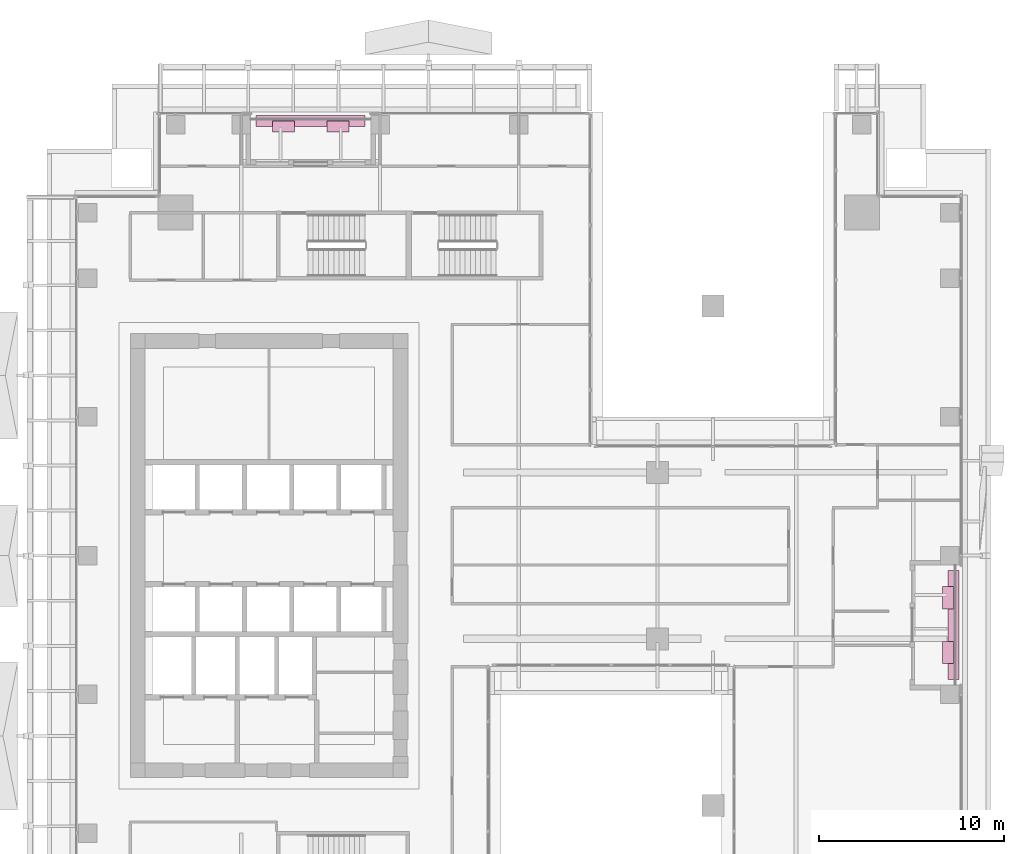
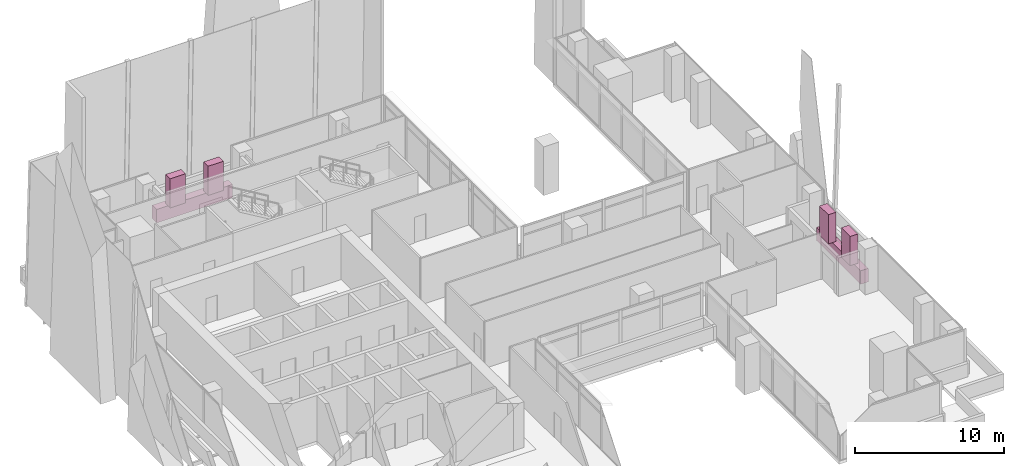
# One storey, part 43 of 43: 6 furnishings.
"""IFC4 building model written with IfcOpenShell, lengths in metres."""

from ifc_helpers import new_model, si_unit, direction, frame, origin, origin_2d, place, context, subcontext, project, spatial, rectangle, extrude, source, transform, mapped, material, type_object, element, save


model = new_model("IFC4")

# Units and contexts
model_context = context("Model", 3, precision=1e-05, world=origin(), true_north=direction((0.0, 1.0)))
body_context = subcontext(model_context, "Body", "Model", "MODEL_VIEW")
ifc_project = project(units=[si_unit("LENGTHUNIT", "METRE"), si_unit("AREAUNIT", "SQUARE_METRE"), si_unit("VOLUMEUNIT", "CUBIC_METRE"), si_unit("PLANEANGLEUNIT", "RADIAN"), si_unit("MASSUNIT", "GRAM", prefix="KILO")], contexts=[model_context])

# Site, building, storey
site_placement = place(None, origin())
site = spatial("IfcSite", under=ifc_project, at=site_placement, CompositionType="ELEMENT")
building_placement = place(site_placement, origin())
building = spatial("IfcBuilding", under=site, at=building_placement, Name="Khomas Fold Tower", CompositionType="ELEMENT")
storey_placement = place(building_placement, frame((0.0, 0.0, 164.699951171875)))
storey = spatial("IfcBuildingStorey", under=building, at=storey_placement, Name="L35", CompositionType="ELEMENT", Elevation=164.699951171875)

# Furnishings
ifc_material_1 = material(Name="Precast concrete C40/50", Category="concrete")
furnishing_element_type_1 = type_object("IfcFurnishingElementType", Name="BL-Structural planter box", material=ifc_material_1)
shared_shape_1 = source(origin(), body_context, "Body", "SweptSolid", [
    extrude(rectangle(XDim=5.89990234375, YDim=0.60009765625, at=origin_2d()), origin(), (0.0, 0.0, 1.0), 1.10009765625),
])
for number, where, z_axis, x_axis, name in (
    (1, (15.75, 50.5, -0.044921875), (0.0, 0.0, 1.0), (1.0, 0.0, 0.0), "PLANTER BAL-L35-N1"),
    (2, (50.5, 23.25, -0.044921875), (0.0, 0.0, 1.0), (0.0, 1.0, 0.0), "PLANTER BAL-L35-E2"),
):
    element("IfcFurnishingElement", number, at=place(storey_placement, frame(where, z_axis=z_axis, x_axis=x_axis)), inside=storey, type_object=furnishing_element_type_1, Name=name, context=body_context, shape_type="MappedRepresentation", body=[
        mapped(shared_shape_1, transform((0.0, 0.0, 0.0))),
    ])
ifc_material_2 = material(Name="Planting")
furnishing_element_type_2 = type_object("IfcFurnishingElementType", Name="BL-Tree Karee", material=ifc_material_2)
shared_shape_2 = source(origin(), body_context, "Body", "SweptSolid", [
    extrude(rectangle(XDim=1.199951171875, YDim=0.60009765625, at=origin_2d()), origin(), (0.0, 0.0, 1.0), 2.39501953125),
])
furnishing_1_placement = place(storey_placement, frame((14.27490234375, 50.199951171875, 1.054931640625), z_axis=(0.0, 0.0, 1.0), x_axis=(1.0, 0.0, 0.0)))
element("IfcFurnishingElement", 3, at=furnishing_1_placement, inside=storey, type_object=furnishing_element_type_2, Name="PLANTER (TREE) Karee BAL-L35-N1-1", context=body_context, shape_type="MappedRepresentation", body=[
    mapped(shared_shape_2, transform((0.0, 0.0, 0.0))),
])
ifc_material_3 = material(Name="Planting")
furnishing_element_type_3 = type_object("IfcFurnishingElementType", Name="BL-Tree Wild olive", material=ifc_material_3)
furnishing_2_placement = place(storey_placement, frame((17.22509765625, 50.199951171875, 1.054931640625), z_axis=(0.0, 0.0, 1.0), x_axis=(1.0, 0.0, 0.0)))
element("IfcFurnishingElement", 4, at=furnishing_2_placement, inside=storey, type_object=furnishing_element_type_3, Name="PLANTER (TREE) Wild olive BAL-L35-N1-2", context=body_context, shape_type="MappedRepresentation", body=[
    mapped(shared_shape_2, transform((0.0, 0.0, 0.0))),
])
furnishing_3_placement = place(storey_placement, frame((50.199951171875, 21.77490234375, 1.054931640625), z_axis=(0.0, 0.0, 1.0), x_axis=(0.0, 1.0, 0.0)))
element("IfcFurnishingElement", 5, at=furnishing_3_placement, inside=storey, type_object=furnishing_element_type_2, Name="PLANTER (TREE) Karee BAL-L35-E2-1", context=body_context, shape_type="MappedRepresentation", body=[
    mapped(shared_shape_2, transform((0.0, 0.0, 0.0))),
])
furnishing_4_placement = place(storey_placement, frame((50.199951171875, 24.72509765625, 1.054931640625), z_axis=(0.0, 0.0, 1.0), x_axis=(0.0, 1.0, 0.0)))
element("IfcFurnishingElement", 6, at=furnishing_4_placement, inside=storey, type_object=furnishing_element_type_3, Name="PLANTER (TREE) Wild olive BAL-L35-E2-2", context=body_context, shape_type="MappedRepresentation", body=[
    mapped(shared_shape_2, transform((0.0, 0.0, 0.0))),
])

save(model, "model.ifc")
